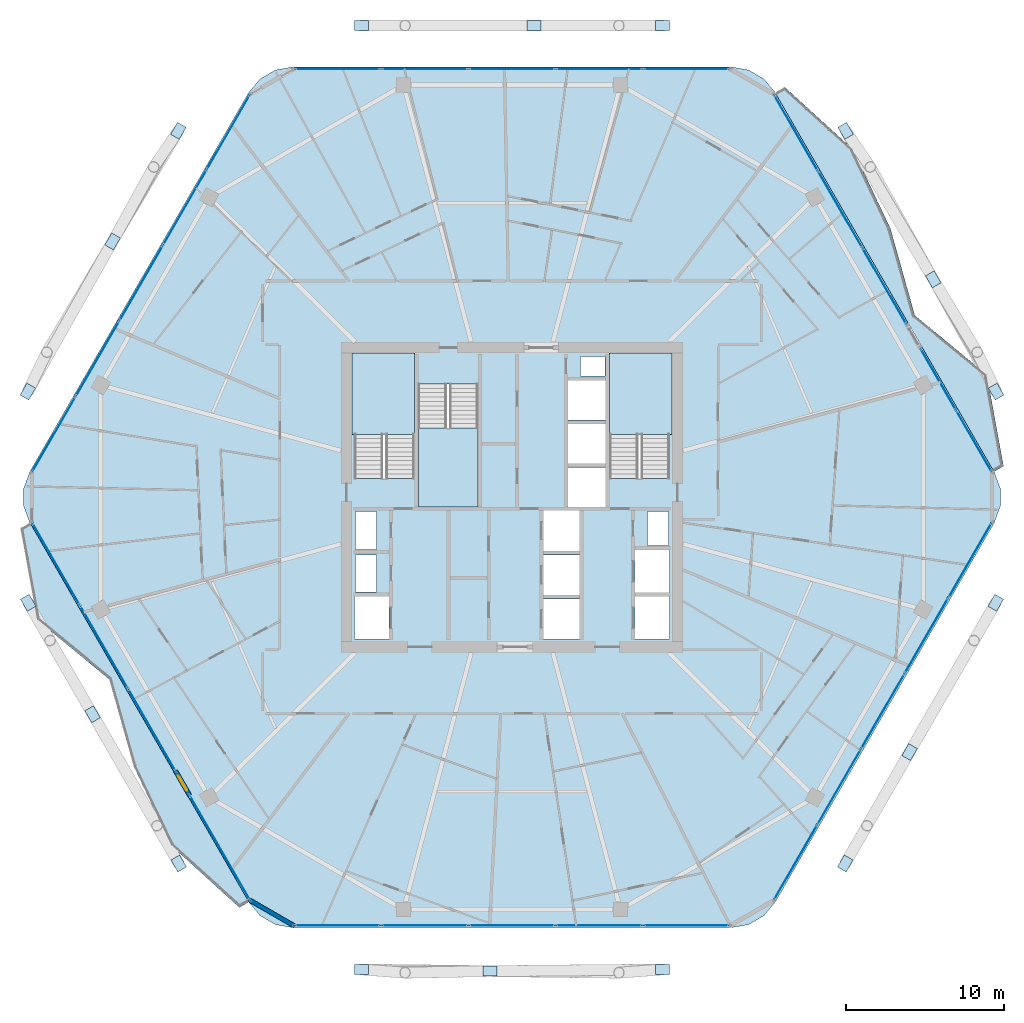
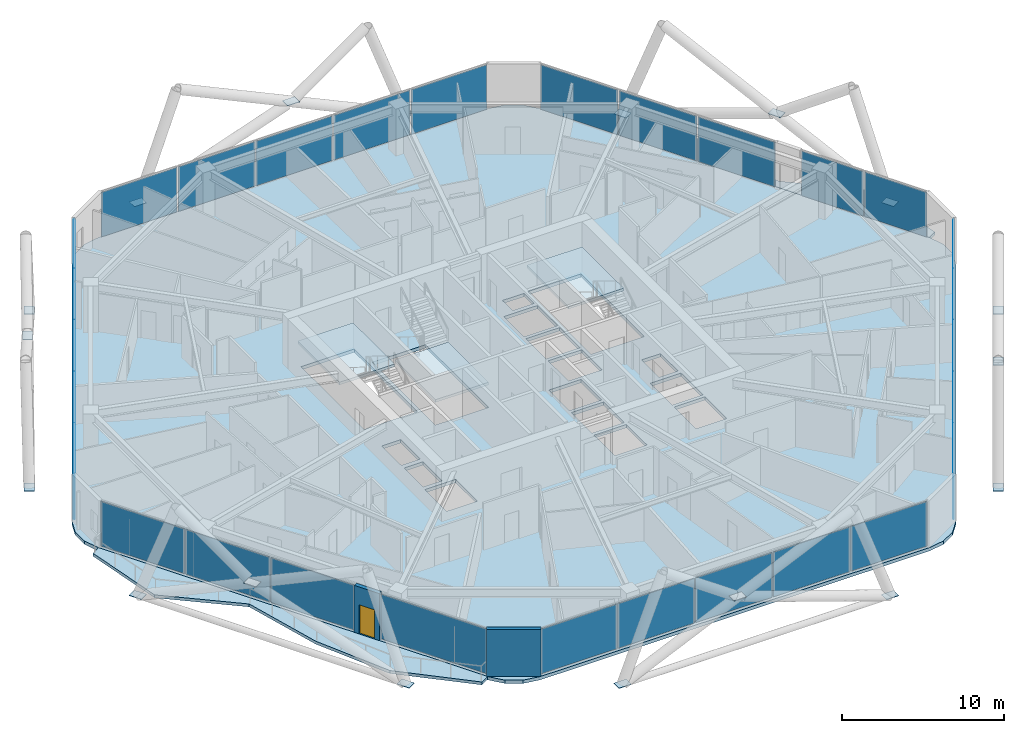
# One storey, part 20 of 29: 47 plates, 6 slabs, 2 walls, 1 door, 1 opening, 11 elements without a shape of their own.
"""IFC4 building model written with IfcOpenShell, lengths in metres."""

from ifc_helpers import new_model, si_unit, direction, frame, frame_2d, origin, origin_2d, place, context, subcontext, project, spatial, polyline, rectangle, outline, extrude, material, layer, layer_set, type_object, element, fill, aggregate, save


model = new_model("IFC4")

# Units and contexts
model_context = context("Model", 3, precision=1e-05, world=origin(), true_north=direction((0.0, 1.0)))
body_context = subcontext(model_context, "Body", "Model", "MODEL_VIEW")
ifc_project = project(units=[si_unit("LENGTHUNIT", "METRE"), si_unit("AREAUNIT", "SQUARE_METRE"), si_unit("VOLUMEUNIT", "CUBIC_METRE"), si_unit("PLANEANGLEUNIT", "RADIAN"), si_unit("MASSUNIT", "GRAM", prefix="KILO")], contexts=[model_context])

# Site, building, storey
site_placement = place(None, origin())
site = spatial("IfcSite", under=ifc_project, at=site_placement, CompositionType="ELEMENT")
building_placement = place(site_placement, origin())
building = spatial("IfcBuilding", under=site, at=building_placement, Name="Zuhravey Tower", CompositionType="ELEMENT")
storey_placement = place(building_placement, frame((0.0, 0.0, 192.199951171875)))
storey = spatial("IfcBuildingStorey", under=building, at=storey_placement, Name="L48", CompositionType="ELEMENT", Elevation=192.199951171875)

# Plates
ifc_material_1 = material(Name="Steel SM460", Category="steel")
ifc_layer_1 = layer(ifc_material_1, 0.035888671875)
ifc_layer_set_1 = layer_set([ifc_layer_1], Name="Steel SM460")
plate_type_1 = type_object("IfcPlateType", Name="Exoskeleton Zone 2 Node Plate ND2", PredefinedType="SHEET", material=ifc_layer_set_1)
for number, where, z_axis, x_axis, name in (
    (1, (66.735107421875, 38.711669921875, -0.48193359375), (0.0, 0.0, 1.0), (-0.5, 0.866025403784, 0.0), "L48 Exoskeleton Node Gusset L48-01"),
    (2, (57.179931640625, 55.261474609375, -0.48193359375), (0.0, 0.0, 1.0), (-0.5, 0.866025403784, 0.0), "L48 Exoskeleton Node Gusset L48-02"),
    (3, (45.554931640625, 61.943115234375, -0.48193359375), (0.0, 0.0, 1.0), (-1.0, 0.0, 0.0), "L48 Exoskeleton Node Gusset L48-03"),
    (4, (26.445068359375, 61.943115234375, -0.48193359375), (0.0, 0.0, 1.0), (-1.0, 0.0, 0.0), "L48 Exoskeleton Node Gusset L48-04"),
    (5, (14.820068359375, 55.261474609375, -0.48193359375), (0.0, 0.0, 1.0), (-0.5, -0.866025403784, 0.0), "L48 Exoskeleton Node Gusset L48-05"),
    (6, (5.264892578125, 38.711669921875, -0.48193359375), (0.0, 0.0, 1.0), (-0.5, -0.866025403784, 0.0), "L48 Exoskeleton Node Gusset L48-06"),
    (7, (5.291015625, 25.30322265625, -0.48193359375), (0.0, 0.0, 1.0), (0.5, -0.866025403784, 0.0), "L48 Exoskeleton Node Gusset L48-07"),
    (8, (14.845947265625, 8.753662109375, -0.48193359375), (0.0, 0.0, 1.0), (0.5, -0.866025403784, 0.0), "L48 Exoskeleton Node Gusset L48-08"),
    (9, (26.445068359375, 2.02685546875, -0.48193359375), (0.0, 0.0, 1.0), (1.0, 0.0, 0.0), "L48 Exoskeleton Node Gusset L48-09"),
    (10, (45.554931640625, 2.02685546875, -0.48193359375), (0.0, 0.0, 1.0), (1.0, 0.0, 0.0), "L48 Exoskeleton Node Gusset L48-10"),
    (11, (57.154052734375, 8.753662109375, -0.48193359375), (0.0, 0.0, 1.0), (0.5, 0.866025403784, 0.0), "L48 Exoskeleton Node Gusset L48-11"),
    (12, (66.708984375, 25.30322265625, -0.48193359375), (0.0, 0.0, 1.0), (0.5, 0.866025403784, 0.0), "L48 Exoskeleton Node Gusset L48-12"),
    (13, (62.741943359375, 45.837890625, 3.31787109375), (0.0, 0.0, 1.0), (-0.5, 0.866025403784, 0.0), "L48 Face 1 Diagrid X-Crossing Plate"),
    (14, (37.386962890625, 61.943115234375, 3.31787109375), (0.0, 0.0, 1.0), (-1.0, 0.0, 0.0), "L48 Face 2 Diagrid X-Crossing Plate"),
    (15, (10.64501953125, 48.240234375, 3.31787109375), (0.0, 0.0, 1.0), (-0.5, -0.866025403784, 0.0), "L48 Face 3 Diagrid X-Crossing Plate"),
    (16, (9.375, 18.2294921875, 3.31787109375), (0.0, 0.0, 1.0), (0.5, -0.866025403784, 0.0), "L48 Face 4 Diagrid X-Crossing Plate"),
    (17, (34.613037109375, 1.921875, 3.31787109375), (0.0, 0.0, 1.0), (1.0, 0.0, 0.0), "L48 Face 5 Diagrid X-Crossing Plate"),
    (18, (61.238037109375, 15.8271484375, 3.31787109375), (0.0, 0.0, 1.0), (0.5, 0.866025403784, 0.0), "L48 Face 6 Diagrid X-Crossing Plate"),
):
    element("IfcPlate", number, at=place(storey_placement, frame(where, z_axis=z_axis, x_axis=x_axis)), inside=storey, type_object=plate_type_1, Name=name, PredefinedType="SHEET", context=body_context, shape_type="SweptSolid", body=[
        extrude(rectangle(XDim=0.8798828125, YDim=0.639892578125, at=origin_2d()), origin(), (0.0, 0.0, 1.0), 0.035888671875),
    ])

# Slabs
ifc_material_2 = material(Name="Concrete C50/60", Category="concrete")
ifc_layer_2 = layer(ifc_material_2, 0.25)
ifc_layer_set_2 = layer_set([ifc_layer_2], Name="Concrete C50/60")
slab_type_1 = type_object("IfcSlabType", Name="Residential Acoustic Slab 250", PredefinedType="FLOOR", material=ifc_layer_set_2)
slab_1_placement = place(storey_placement, frame((0.0, 0.0, -0.25)))
element("IfcSlab", 19, at=slab_1_placement, inside=storey, type_object=slab_type_1, Name="L48 Floor Slab FS25", PredefinedType="FLOOR", context=body_context, shape_type="SweptSolid", body=[
    extrude(outline(polyline([(66.61181640625, 30.375), (66.997802734375, 31.435546875), (66.997802734375, 32.564453125), (66.61181640625, 33.625), (52.713134765625, 57.697998046875), (51.98779296875, 58.562744140625), (51.01025390625, 59.127197265625), (49.898681640625, 59.322998046875), (22.101318359375, 59.322998046875), (20.98974609375, 59.127197265625), (20.01220703125, 58.562744140625), (19.286865234375, 57.697998046875), (5.38818359375, 33.625), (5.002197265625, 32.564453125), (5.002197265625, 31.435546875), (5.38818359375, 30.375), (19.286865234375, 6.302001953125), (20.01220703125, 5.437255859375), (20.98974609375, 4.872802734375), (22.101318359375, 4.677001953125), (49.898681640625, 4.677001953125), (51.01025390625, 4.872802734375), (51.98779296875, 5.437255859375), (52.713134765625, 6.302001953125), (66.61181640625, 30.375)]), holes=[polyline([(29.800048828125, 33.20068359375), (29.800048828125, 41.0), (26.0, 41.0), (26.0, 33.20068359375), (29.800048828125, 33.20068359375)]), polyline([(46.0, 33.20068359375), (46.0, 41.0), (42.199951171875, 41.0), (42.199951171875, 33.20068359375), (46.0, 33.20068359375)]), polyline([(30.050048828125, 39.199462890625), (30.050048828125, 31.39990234375), (33.85009765625, 31.39990234375), (33.85009765625, 39.199462890625), (30.050048828125, 39.199462890625)]), polyline([(38.0, 23.0), (40.300048828125, 23.0), (40.300048828125, 25.550048828125), (38.0, 25.550048828125), (38.0, 23.0)]), polyline([(38.0, 25.800048828125), (40.300048828125, 25.800048828125), (40.300048828125, 28.35009765625), (38.0, 28.35009765625), (38.0, 25.800048828125)]), polyline([(38.0, 28.60009765625), (40.300048828125, 28.60009765625), (40.300048828125, 31.14990234375), (38.0, 31.14990234375), (38.0, 28.60009765625)]), polyline([(39.550048828125, 31.39990234375), (41.949951171875, 31.39990234375), (41.949951171875, 33.89990234375), (39.550048828125, 33.89990234375), (39.550048828125, 31.39990234375)]), polyline([(39.550048828125, 34.14990234375), (41.949951171875, 34.14990234375), (41.949951171875, 36.64990234375), (39.550048828125, 36.64990234375), (39.550048828125, 34.14990234375)]), polyline([(39.550048828125, 36.89990234375), (41.949951171875, 36.89990234375), (41.949951171875, 39.39990234375), (39.550048828125, 39.39990234375), (39.550048828125, 36.89990234375)]), polyline([(26.0, 23.0), (28.199951171875, 23.0), (28.199951171875, 25.699951171875), (26.0, 25.699951171875), (26.0, 23.0)]), polyline([(43.800048828125, 23.0), (46.0, 23.0), (46.0, 25.699951171875), (43.800048828125, 25.699951171875), (43.800048828125, 23.0)]), polyline([(43.800048828125, 25.949951171875), (46.0, 25.949951171875), (46.0, 28.64990234375), (43.800048828125, 28.64990234375), (43.800048828125, 25.949951171875)]), polyline([(26.050048828125, 26.0), (27.39990234375, 26.0), (27.39990234375, 28.35009765625), (26.050048828125, 28.35009765625), (26.050048828125, 26.0)]), polyline([(26.050048828125, 28.699951171875), (27.39990234375, 28.699951171875), (27.39990234375, 31.10009765625), (26.050048828125, 31.10009765625), (26.050048828125, 28.699951171875)]), polyline([(44.60009765625, 28.949951171875), (45.949951171875, 28.949951171875), (45.949951171875, 31.10009765625), (44.60009765625, 31.10009765625), (44.60009765625, 28.949951171875)]), polyline([(40.35009765625, 39.699951171875), (41.89990234375, 39.699951171875), (41.89990234375, 40.949951171875), (40.35009765625, 40.949951171875), (40.35009765625, 39.699951171875)])]), origin(), (0.0, 0.0, 1.0), 0.25),
])
ifc_material_3 = material(Name="Concrete C40/50", Category="concrete")
ifc_layer_3 = layer(ifc_material_3, 0.219970703125)
ifc_layer_set_3 = layer_set([ifc_layer_3], Name="Concrete C40/50")
slab_type_2 = type_object("IfcSlabType", Name="Sinusoidal Residential Wave Balcony 220", PredefinedType="FLOOR", material=ifc_layer_set_3)
slab_2_placement = place(storey_placement, frame((0.0, 0.0, -0.219970703125)))
element("IfcSlab", 20, at=slab_2_placement, inside=storey, type_object=slab_type_2, Name="L48 Face 1 Wave Balcony WB22", PredefinedType="FLOOR", context=body_context, shape_type="SweptSolid", body=[
    extrude(outline(polyline([(66.594482421875, 33.625), (52.70458984375, 57.68310546875), (53.310791015625, 58.033203125), (57.62841796875, 54.1103515625), (60.01513671875, 49.072998046875), (61.567626953125, 43.5537109375), (66.14306640625, 39.77978515625), (67.20068359375, 33.97509765625), (66.594482421875, 33.625)])), origin(), (0.0, 0.0, 1.0), 0.219970703125),
])
slab_3_placement = place(storey_placement, frame((0.0, 0.0, -0.219970703125)))
element("IfcSlab", 21, at=slab_3_placement, inside=storey, type_object=slab_type_2, Name="L48 Face 4 Wave Balcony WB22", PredefinedType="FLOOR", context=body_context, shape_type="SweptSolid", body=[
    extrude(outline(polyline([(5.405517578125, 30.375), (19.29541015625, 6.31689453125), (18.689208984375, 5.966796875), (14.37158203125, 9.8896484375), (11.98486328125, 14.927001953125), (10.432373046875, 20.4462890625), (5.85693359375, 24.22021484375), (4.79931640625, 30.02490234375), (5.405517578125, 30.375)])), origin(), (0.0, 0.0, 1.0), 0.219970703125),
])

# Stair, slab
stair_type = type_object("IfcStairType", Name="Housing Storey Stair Assembly 3800", PredefinedType="HALF_TURN_STAIR", material=ifc_material_3)
stair_1_placement = place(storey_placement, origin())
stair_1 = element("IfcStair", 22, at=stair_1_placement, inside=storey, type_object=stair_type, Name="L48 Core Exit Stair ST1", PredefinedType="HALF_TURN_STAIR")
ifc_layer_4 = layer(ifc_material_3, 0.199951171875)
ifc_layer_set_4 = layer_set([ifc_layer_4], Name="Concrete C40/50")
slab_type_3 = type_object("IfcSlabType", Name="Stair Landing Slab 200", PredefinedType="LANDING", material=ifc_layer_set_4)
slab_4_placement = place(storey_placement, frame((0.0, 0.0, 1.699951171875)))
slab_4 = element("IfcSlab", 23, at=slab_4_placement, type_object=slab_type_3, Name="ST1 landing 1", PredefinedType="LANDING", context=body_context, shape_type="SweptSolid", body=[
    extrude(outline(polyline([(29.800048828125, 36.0), (29.800048828125, 41.14794921875), (25.85205078125, 41.14794921875), (25.85205078125, 36.0), (29.800048828125, 36.0)])), origin(), (0.0, 0.0, 1.0), 0.2001953125),
])
aggregate(stair_1, [slab_4])

stair_2_placement = place(storey_placement, origin())
stair_2 = element("IfcStair", 24, at=stair_2_placement, inside=storey, type_object=stair_type, Name="L48 Core Exit Stair ST2", PredefinedType="HALF_TURN_STAIR")
slab_5_placement = place(storey_placement, frame((0.0, 0.0, 1.699951171875)))
slab_5 = element("IfcSlab", 25, at=slab_5_placement, type_object=slab_type_3, Name="ST2 landing 1", PredefinedType="LANDING", context=body_context, shape_type="SweptSolid", body=[
    extrude(outline(polyline([(46.14794921875, 36.0), (46.14794921875, 41.14794921875), (42.199951171875, 41.14794921875), (42.199951171875, 36.0), (46.14794921875, 36.0)])), origin(), (0.0, 0.0, 1.0), 0.2001953125),
])
aggregate(stair_2, [slab_5])

stair_3_placement = place(storey_placement, origin())
stair_3 = element("IfcStair", 26, at=stair_3_placement, inside=storey, type_object=stair_type, Name="L48 Core Exit Stair ST3", PredefinedType="HALF_TURN_STAIR")
slab_6_placement = place(storey_placement, frame((0.0, 0.0, 1.699951171875)))
slab_6 = element("IfcSlab", 27, at=slab_6_placement, type_object=slab_type_3, Name="ST3 landing 1", PredefinedType="LANDING", context=body_context, shape_type="SweptSolid", body=[
    extrude(outline(polyline([(30.050048828125, 36.39990234375), (30.050048828125, 31.39990234375), (33.85009765625, 31.39990234375), (33.85009765625, 36.39990234375), (30.050048828125, 36.39990234375)])), origin(), (0.0, 0.0, 1.0), 0.2001953125),
])
aggregate(stair_3, [slab_6])

# Curtain wall, plates
ifc_material_4 = material(Name="Thermally broken anodised aluminium", Category="aluminium")
curtain_wall_type = type_object("IfcCurtainWallType", Name="Zone 1-2 Residential Curtain Wall CW3", PredefinedType="NOTDEFINED", material=ifc_material_4)
curtain_wall_1_placement = place(storey_placement, origin())
curtain_wall_1 = element("IfcCurtainWall", 28, at=curtain_wall_1_placement, inside=storey, type_object=curtain_wall_type, Name="L48 CW3 CW-L48-F6-1", PredefinedType="NOTDEFINED")
ifc_material_5 = material(Name="Triple low-E insulated vision glass", Category="glass")
ifc_layer_5 = layer(ifc_material_5, 0.0419921875)
ifc_layer_set_5 = layer_set([ifc_layer_5], Name="Triple low-E insulated vision glass")
plate_type_2 = type_object("IfcPlateType", Name="Triple Low-E Vision Panel", PredefinedType="CURTAIN_PANEL", material=ifc_layer_set_5)
plate_1_placement = place(storey_placement, frame((65.074462890625, 27.9921875, 0.090087890625), z_axis=(0.0, 0.0, 1.0), x_axis=(-0.500000459979, -0.866025138215, 0.0)))
plate_1 = element("IfcPlate", 29, at=plate_1_placement, type_object=plate_type_2, Name="CW3 panel 1.1", PredefinedType="CURTAIN_PANEL", context=body_context, shape_type="SweptSolid", body=[
    extrude(rectangle(XDim=5.409423828125, YDim=0.0419921875, at=origin_2d()), origin(), (0.0, 0.0, 1.0), 3.3701171875),
])
plate_2_placement = place(storey_placement, frame((62.3134765625, 23.2099609375, 0.090087890625), z_axis=(0.0, 0.0, 1.0), x_axis=(-0.500000459979, -0.866025138215, 0.0)))
plate_2 = element("IfcPlate", 30, at=plate_2_placement, type_object=plate_type_2, Name="CW3 panel 2.1", PredefinedType="CURTAIN_PANEL", context=body_context, shape_type="SweptSolid", body=[
    extrude(rectangle(XDim=5.454345703125, YDim=0.0419921875, at=origin_2d()), origin(), (0.0, 0.0, 1.0), 3.3701171875),
])
plate_3_placement = place(storey_placement, frame((59.541259765625, 18.408447265625, 0.090087890625), z_axis=(0.0, 0.0, 1.0), x_axis=(-0.500000459979, -0.866025138215, 0.0)))
plate_3 = element("IfcPlate", 31, at=plate_3_placement, type_object=plate_type_2, Name="CW3 panel 3.1", PredefinedType="CURTAIN_PANEL", context=body_context, shape_type="SweptSolid", body=[
    extrude(rectangle(XDim=5.454345703125, YDim=0.0419921875, at=origin_2d()), origin(), (0.0, 0.0, 1.0), 3.3701171875),
])
plate_4_placement = place(storey_placement, frame((56.76904296875, 13.60693359375, 0.090087890625), z_axis=(0.0, 0.0, 1.0), x_axis=(-0.500000459979, -0.866025138215, 0.0)))
plate_4 = element("IfcPlate", 32, at=plate_4_placement, type_object=plate_type_2, Name="CW3 panel 4.1", PredefinedType="CURTAIN_PANEL", context=body_context, shape_type="SweptSolid", body=[
    extrude(rectangle(XDim=5.454345703125, YDim=0.0419921875, at=origin_2d()), origin(), (0.0, 0.0, 1.0), 3.3701171875),
])
plate_5_placement = place(storey_placement, frame((54.008056640625, 8.82470703125, 0.090087890625), z_axis=(0.0, 0.0, 1.0), x_axis=(-0.500000459979, -0.866025138215, 0.0)))
plate_5 = element("IfcPlate", 33, at=plate_5_placement, type_object=plate_type_2, Name="CW3 panel 5.1", PredefinedType="CURTAIN_PANEL", context=body_context, shape_type="SweptSolid", body=[
    extrude(rectangle(XDim=5.409423828125, YDim=0.0419921875, at=origin_2d()), origin(), (0.0, 0.0, 1.0), 3.3701171875),
])
aggregate(curtain_wall_1, [plate_1, plate_2, plate_3, plate_4, plate_5])

curtain_wall_2_placement = place(storey_placement, origin())
curtain_wall_2 = element("IfcCurtainWall", 34, at=curtain_wall_2_placement, inside=storey, type_object=curtain_wall_type, Name="L48 CW3 CW-L48-F5-1", PredefinedType="NOTDEFINED")
plate_6_placement = place(storey_placement, frame((47.06640625, 4.81689453125, 0.090087890625), z_axis=(0.0, 0.0, 1.0), x_axis=(-1.0, 0.0, 0.0)))
plate_6 = element("IfcPlate", 35, at=plate_6_placement, type_object=plate_type_2, Name="CW3 panel 1.1", PredefinedType="CURTAIN_PANEL", context=body_context, shape_type="SweptSolid", body=[
    extrude(rectangle(XDim=5.409423828125, YDim=0.0419921875, at=origin_2d()), origin(), (0.0, 0.0, 1.0), 3.3701171875),
])
plate_7_placement = place(storey_placement, frame((41.54443359375, 4.81689453125, 0.090087890625), z_axis=(0.0, 0.0, 1.0), x_axis=(-1.0, 0.0, 0.0)))
plate_7 = element("IfcPlate", 36, at=plate_7_placement, type_object=plate_type_2, Name="CW3 panel 2.1", PredefinedType="CURTAIN_PANEL", context=body_context, shape_type="SweptSolid", body=[
    extrude(rectangle(XDim=5.454345703125, YDim=0.0419921875, at=origin_2d()), origin(), (0.0, 0.0, 1.0), 3.3701171875),
])
plate_8_placement = place(storey_placement, frame((36.0, 4.81689453125, 0.090087890625), z_axis=(0.0, 0.0, 1.0), x_axis=(-1.0, 0.0, 0.0)))
plate_8 = element("IfcPlate", 37, at=plate_8_placement, type_object=plate_type_2, Name="CW3 panel 3.1", PredefinedType="CURTAIN_PANEL", context=body_context, shape_type="SweptSolid", body=[
    extrude(rectangle(XDim=5.454345703125, YDim=0.0419921875, at=origin_2d()), origin(), (0.0, 0.0, 1.0), 3.3701171875),
])
plate_9_placement = place(storey_placement, frame((30.45556640625, 4.81689453125, 0.090087890625), z_axis=(0.0, 0.0, 1.0), x_axis=(-1.0, 0.0, 0.0)))
plate_9 = element("IfcPlate", 38, at=plate_9_placement, type_object=plate_type_2, Name="CW3 panel 4.1", PredefinedType="CURTAIN_PANEL", context=body_context, shape_type="SweptSolid", body=[
    extrude(rectangle(XDim=5.454345703125, YDim=0.0419921875, at=origin_2d()), origin(), (0.0, 0.0, 1.0), 3.3701171875),
])
plate_10_placement = place(storey_placement, frame((24.93359375, 4.81689453125, 0.090087890625), z_axis=(0.0, 0.0, 1.0), x_axis=(-1.0, 0.0, 0.0)))
plate_10 = element("IfcPlate", 39, at=plate_10_placement, type_object=plate_type_2, Name="CW3 panel 5.1", PredefinedType="CURTAIN_PANEL", context=body_context, shape_type="SweptSolid", body=[
    extrude(rectangle(XDim=5.409423828125, YDim=0.0419921875, at=origin_2d()), origin(), (0.0, 0.0, 1.0), 3.3701171875),
])
aggregate(curtain_wall_2, [plate_6, plate_7, plate_8, plate_9, plate_10])

# Curtain wall, plate
curtain_wall_3_placement = place(storey_placement, origin())
curtain_wall_3 = element("IfcCurtainWall", 40, at=curtain_wall_3_placement, inside=storey, type_object=curtain_wall_type, Name="L48 CW3 CW-L48-F4-1", PredefinedType="NOTDEFINED")
plate_11_placement = place(storey_placement, frame((17.452880859375, 9.75830078125, 0.090087890625), z_axis=(0.0, 0.0, 1.0), x_axis=(-0.500003330298, 0.866023481027, 0.0)))
plate_11 = element("IfcPlate", 41, at=plate_11_placement, type_object=plate_type_2, Name="CW3 panel 1.1", PredefinedType="CURTAIN_PANEL", context=body_context, shape_type="SweptSolid", body=[
    extrude(rectangle(XDim=7.565673828125, YDim=0.0419921875, at=origin_2d()), origin(), (0.0, 0.0, 1.0), 3.3701171875),
])
aggregate(curtain_wall_3, [plate_11])

# Curtain wall, plates
curtain_wall_4_placement = place(storey_placement, origin())
curtain_wall_4 = element("IfcCurtainWall", 42, at=curtain_wall_4_placement, inside=storey, type_object=curtain_wall_type, Name="L48 CW3 CW-L48-F4-2", PredefinedType="NOTDEFINED")
plate_12_placement = place(storey_placement, frame((13.132080078125, 17.2421875, 0.090087890625), z_axis=(0.0, 0.0, 1.0), x_axis=(-0.499998263105, 0.866026406579, 0.0)))
plate_12 = element("IfcPlate", 43, at=plate_12_placement, type_object=plate_type_2, Name="CW3 panel 1.1", PredefinedType="CURTAIN_PANEL", context=body_context, shape_type="SweptSolid", body=[
    extrude(rectangle(XDim=5.957275390625, YDim=0.0419921875, at=origin_2d()), origin(), (0.0, 0.0, 1.0), 3.3701171875),
])
plate_13_placement = place(storey_placement, frame((10.097412109375, 22.49853515625, 0.090087890625), z_axis=(0.0, 0.0, 1.0), x_axis=(-0.499998263105, 0.866026406579, 0.0)))
plate_13 = element("IfcPlate", 44, at=plate_13_placement, type_object=plate_type_2, Name="CW3 panel 2.1", PredefinedType="CURTAIN_PANEL", context=body_context, shape_type="SweptSolid", body=[
    extrude(rectangle(XDim=6.002197265625, YDim=0.0419921875, at=origin_2d()), origin(), (0.0, 0.0, 1.0), 3.3701171875),
])
plate_14_placement = place(storey_placement, frame((7.0625, 27.755126953125, 0.090087890625), z_axis=(0.0, 0.0, 1.0), x_axis=(-0.499998263105, 0.866026406579, 0.0)))
plate_14 = element("IfcPlate", 45, at=plate_14_placement, type_object=plate_type_2, Name="CW3 panel 3.1", PredefinedType="CURTAIN_PANEL", context=body_context, shape_type="SweptSolid", body=[
    extrude(rectangle(XDim=5.957275390625, YDim=0.0419921875, at=origin_2d()), origin(), (0.0, 0.0, 1.0), 3.3701171875),
])
aggregate(curtain_wall_4, [plate_12, plate_13, plate_14])

curtain_wall_5_placement = place(storey_placement, origin())
curtain_wall_5 = element("IfcCurtainWall", 46, at=curtain_wall_5_placement, inside=storey, type_object=curtain_wall_type, Name="L48 CW3 CW-L48-F3-1", PredefinedType="NOTDEFINED")
plate_15_placement = place(storey_placement, frame((6.925537109375, 36.0078125, 0.090087890625), z_axis=(0.0, 0.0, 1.0), x_axis=(0.500000459979, 0.866025138215, 0.0)))
plate_15 = element("IfcPlate", 47, at=plate_15_placement, type_object=plate_type_2, Name="CW3 panel 1.1", PredefinedType="CURTAIN_PANEL", context=body_context, shape_type="SweptSolid", body=[
    extrude(rectangle(XDim=5.409423828125, YDim=0.0419921875, at=origin_2d()), origin(), (0.0, 0.0, 1.0), 3.3701171875),
])
plate_16_placement = place(storey_placement, frame((9.6865234375, 40.7900390625, 0.090087890625), z_axis=(0.0, 0.0, 1.0), x_axis=(0.500000459979, 0.866025138215, 0.0)))
plate_16 = element("IfcPlate", 48, at=plate_16_placement, type_object=plate_type_2, Name="CW3 panel 2.1", PredefinedType="CURTAIN_PANEL", context=body_context, shape_type="SweptSolid", body=[
    extrude(rectangle(XDim=5.454345703125, YDim=0.0419921875, at=origin_2d()), origin(), (0.0, 0.0, 1.0), 3.3701171875),
])
plate_17_placement = place(storey_placement, frame((12.458740234375, 45.591552734375, 0.090087890625), z_axis=(0.0, 0.0, 1.0), x_axis=(0.500000459979, 0.866025138215, 0.0)))
plate_17 = element("IfcPlate", 49, at=plate_17_placement, type_object=plate_type_2, Name="CW3 panel 3.1", PredefinedType="CURTAIN_PANEL", context=body_context, shape_type="SweptSolid", body=[
    extrude(rectangle(XDim=5.454345703125, YDim=0.0419921875, at=origin_2d()), origin(), (0.0, 0.0, 1.0), 3.3701171875),
])
plate_18_placement = place(storey_placement, frame((15.23095703125, 50.39306640625, 0.090087890625), z_axis=(0.0, 0.0, 1.0), x_axis=(0.500000459979, 0.866025138215, 0.0)))
plate_18 = element("IfcPlate", 50, at=plate_18_placement, type_object=plate_type_2, Name="CW3 panel 4.1", PredefinedType="CURTAIN_PANEL", context=body_context, shape_type="SweptSolid", body=[
    extrude(rectangle(XDim=5.454345703125, YDim=0.0419921875, at=origin_2d()), origin(), (0.0, 0.0, 1.0), 3.3701171875),
])
plate_19_placement = place(storey_placement, frame((17.991943359375, 55.17529296875, 0.090087890625), z_axis=(0.0, 0.0, 1.0), x_axis=(0.500000459979, 0.866025138215, 0.0)))
plate_19 = element("IfcPlate", 51, at=plate_19_placement, type_object=plate_type_2, Name="CW3 panel 5.1", PredefinedType="CURTAIN_PANEL", context=body_context, shape_type="SweptSolid", body=[
    extrude(rectangle(XDim=5.409423828125, YDim=0.0419921875, at=origin_2d()), origin(), (0.0, 0.0, 1.0), 3.3701171875),
])
aggregate(curtain_wall_5, [plate_15, plate_16, plate_17, plate_18, plate_19])

curtain_wall_6_placement = place(storey_placement, origin())
curtain_wall_6 = element("IfcCurtainWall", 52, at=curtain_wall_6_placement, inside=storey, type_object=curtain_wall_type, Name="L48 CW3 CW-L48-F2-1", PredefinedType="NOTDEFINED")
plate_20_placement = place(storey_placement, frame((24.93359375, 59.18310546875, 0.090087890625), z_axis=(0.0, 0.0, 1.0), x_axis=(1.0, 0.0, 0.0)))
plate_20 = element("IfcPlate", 53, at=plate_20_placement, type_object=plate_type_2, Name="CW3 panel 1.1", PredefinedType="CURTAIN_PANEL", context=body_context, shape_type="SweptSolid", body=[
    extrude(rectangle(XDim=5.409423828125, YDim=0.0419921875, at=origin_2d()), origin(), (0.0, 0.0, 1.0), 3.3701171875),
])
plate_21_placement = place(storey_placement, frame((30.45556640625, 59.18310546875, 0.090087890625), z_axis=(0.0, 0.0, 1.0), x_axis=(1.0, 0.0, 0.0)))
plate_21 = element("IfcPlate", 54, at=plate_21_placement, type_object=plate_type_2, Name="CW3 panel 2.1", PredefinedType="CURTAIN_PANEL", context=body_context, shape_type="SweptSolid", body=[
    extrude(rectangle(XDim=5.454345703125, YDim=0.0419921875, at=origin_2d()), origin(), (0.0, 0.0, 1.0), 3.3701171875),
])
plate_22_placement = place(storey_placement, frame((36.0, 59.18310546875, 0.090087890625), z_axis=(0.0, 0.0, 1.0), x_axis=(1.0, 0.0, 0.0)))
plate_22 = element("IfcPlate", 55, at=plate_22_placement, type_object=plate_type_2, Name="CW3 panel 3.1", PredefinedType="CURTAIN_PANEL", context=body_context, shape_type="SweptSolid", body=[
    extrude(rectangle(XDim=5.454345703125, YDim=0.0419921875, at=origin_2d()), origin(), (0.0, 0.0, 1.0), 3.3701171875),
])
plate_23_placement = place(storey_placement, frame((41.54443359375, 59.18310546875, 0.090087890625), z_axis=(0.0, 0.0, 1.0), x_axis=(1.0, 0.0, 0.0)))
plate_23 = element("IfcPlate", 56, at=plate_23_placement, type_object=plate_type_2, Name="CW3 panel 4.1", PredefinedType="CURTAIN_PANEL", context=body_context, shape_type="SweptSolid", body=[
    extrude(rectangle(XDim=5.454345703125, YDim=0.0419921875, at=origin_2d()), origin(), (0.0, 0.0, 1.0), 3.3701171875),
])
plate_24_placement = place(storey_placement, frame((47.06640625, 59.18310546875, 0.090087890625), z_axis=(0.0, 0.0, 1.0), x_axis=(1.0, 0.0, 0.0)))
plate_24 = element("IfcPlate", 57, at=plate_24_placement, type_object=plate_type_2, Name="CW3 panel 5.1", PredefinedType="CURTAIN_PANEL", context=body_context, shape_type="SweptSolid", body=[
    extrude(rectangle(XDim=5.409423828125, YDim=0.0419921875, at=origin_2d()), origin(), (0.0, 0.0, 1.0), 3.3701171875),
])
aggregate(curtain_wall_6, [plate_20, plate_21, plate_22, plate_23, plate_24])

curtain_wall_7_placement = place(storey_placement, origin())
curtain_wall_7 = element("IfcCurtainWall", 58, at=curtain_wall_7_placement, inside=storey, type_object=curtain_wall_type, Name="L48 CW3 CW-L48-F1-1", PredefinedType="NOTDEFINED")
plate_25_placement = place(storey_placement, frame((54.03076171875, 55.135986328125, 0.090087890625), z_axis=(0.0, 0.0, 1.0), x_axis=(0.500002025181, -0.866024234542, 0.0)))
plate_25 = element("IfcPlate", 59, at=plate_25_placement, type_object=plate_type_2, Name="CW3 panel 1.1", PredefinedType="CURTAIN_PANEL", context=body_context, shape_type="SweptSolid", body=[
    extrude(rectangle(XDim=5.500244140625, YDim=0.0419921875, at=origin_2d()), origin(), (0.0, 0.0, 1.0), 3.3701171875),
])
plate_26_placement = place(storey_placement, frame((56.837158203125, 50.275390625, 0.090087890625), z_axis=(0.0, 0.0, 1.0), x_axis=(0.500002025181, -0.866024234542, 0.0)))
plate_26 = element("IfcPlate", 60, at=plate_26_placement, type_object=plate_type_2, Name="CW3 panel 2.1", PredefinedType="CURTAIN_PANEL", context=body_context, shape_type="SweptSolid", body=[
    extrude(rectangle(XDim=5.545166015625, YDim=0.0419921875, at=origin_2d()), origin(), (0.0, 0.0, 1.0), 3.3701171875),
])
plate_27_placement = place(storey_placement, frame((59.6435546875, 45.41455078125, 0.090087890625), z_axis=(0.0, 0.0, 1.0), x_axis=(0.500002025181, -0.866024234542, 0.0)))
plate_27 = element("IfcPlate", 61, at=plate_27_placement, type_object=plate_type_2, Name="CW3 panel 3.1", PredefinedType="CURTAIN_PANEL", context=body_context, shape_type="SweptSolid", body=[
    extrude(rectangle(XDim=5.500244140625, YDim=0.0419921875, at=origin_2d()), origin(), (0.0, 0.0, 1.0), 3.3701171875),
])
aggregate(curtain_wall_7, [plate_25, plate_26, plate_27])

curtain_wall_8_placement = place(storey_placement, origin())
curtain_wall_8 = element("IfcCurtainWall", 62, at=curtain_wall_8_placement, inside=storey, type_object=curtain_wall_type, Name="L48 CW3 CW-L48-F1-2", PredefinedType="NOTDEFINED")
plate_28_placement = place(storey_placement, frame((63.064208984375, 39.489501953125, 0.090087890625), z_axis=(0.0, 0.0, 1.0), x_axis=(0.499995592113, -0.866027948664, 0.0)))
plate_28 = element("IfcPlate", 63, at=plate_28_placement, type_object=plate_type_2, Name="CW3 panel 1.1", PredefinedType="CURTAIN_PANEL", context=body_context, shape_type="SweptSolid", body=[
    extrude(rectangle(XDim=4.42333984375, YDim=0.0419921875, at=origin_2d()), origin(), (0.0, 0.0, 1.0), 3.3701171875),
])
plate_29_placement = place(storey_placement, frame((65.321044921875, 35.580810546875, 0.090087890625), z_axis=(0.0, 0.0, 1.0), x_axis=(0.499995592113, -0.866027948664, 0.0)))
plate_29 = element("IfcPlate", 64, at=plate_29_placement, type_object=plate_type_2, Name="CW3 panel 2.1", PredefinedType="CURTAIN_PANEL", context=body_context, shape_type="SweptSolid", body=[
    extrude(rectangle(XDim=4.42333984375, YDim=0.0419921875, at=origin_2d()), origin(), (0.0, 0.0, 1.0), 3.3701171875),
])
aggregate(curtain_wall_8, [plate_28, plate_29])

# Wall
ifc_material_6 = material(Name="Precast concrete C40/50", Category="concrete")
ifc_layer_6 = layer(ifc_material_6, 0.280029296875)
ifc_layer_set_6 = layer_set([ifc_layer_6], Name="Precast concrete C40/50")
wall_type = type_object("IfcWallType", Name="Crown Architectural Wall 280", PredefinedType="SOLIDWALL", material=ifc_layer_set_6)
wall_1_placement = place(storey_placement, frame((22.22119140625, 4.769287109375, 0.0), z_axis=(0.0, 0.0, 1.0), x_axis=(-0.866020068361, 0.500009241111, 0.0)))
element("IfcWall", 65, at=wall_1_placement, inside=storey, type_object=wall_type, Name="L48 Rounded Corner Closure Wall EW28-04", PredefinedType="SOLIDWALL", context=body_context, shape_type="SweptSolid", body=[
    extrude(rectangle(XDim=3.365234375, YDim=0.280029296875, at=frame_2d((1.6826171875, 0.0))), origin(), (0.0, 0.0, 1.0), 3.550048828125),
])

# Wall, opening, door
wall_2_placement = place(storey_placement, frame((15.538818359375, 13.073486328125, 0.0), z_axis=(0.0, 0.0, 1.0), x_axis=(-0.500041240653, 0.866001592173, 0.0)))
wall_2 = element("IfcWall", 66, at=wall_2_placement, inside=storey, type_object=wall_type, Name="L48 Face 4 Facade Pier EW28-1", PredefinedType="SOLIDWALL", context=body_context, shape_type="SweptSolid", body=[
    extrude(rectangle(XDim=1.789794921875, YDim=0.280029296875, at=frame_2d((0.89501953125, 0.0))), origin(), (0.0, 0.0, 1.0), 3.550048828125),
])
opening_placement = place(wall_2_placement, frame((0.344970703125, 0.0, 0.0)))
opening = element("IfcOpeningElement", 67, at=opening_placement, cuts=wall_2, Name="Opening BLD1", PredefinedType="OPENING", context=body_context, shape_type="SweptSolid", body=[
    extrude(rectangle(XDim=1.10009765625, YDim=2.199951171875, at=frame_2d((0.550048828125, 1.10009765625))), frame((0.0, 0.152099609375, 0.0), z_axis=(0.0, -1.0, 0.0), x_axis=(1.0, 0.0, 0.0)), (0.0, 0.0, 1.0), 0.303955078125),
])
ifc_material_7 = material(Name="Thermally broken aluminium and low-E glass", Category="aluminium")
door_type = type_object("IfcDoorType", Name="Balcony & Sky-Tray Glazed Door 1100x2200", OperationType="NOTDEFINED", PredefinedType="DOOR", material=ifc_material_7)
door_placement = place(opening_placement, frame((1.10009765625, 0.0, 0.0), z_axis=(0.0, 0.0, 1.0), x_axis=(-1.0, 0.0, 0.0)))
door = element("IfcDoor", 68, at=door_placement, inside=storey, type_object=door_type, Name="L48 Face 4 Wave Balcony Door", OperationType="SINGLE_SWING_LEFT", OverallHeight=2.199951171875, OverallWidth=1.10009765625, PredefinedType="DOOR", context=body_context, shape_type="SweptSolid", body=[
    extrude(rectangle(XDim=1.10009765625, YDim=2.199951171875, at=frame_2d((0.550048828125, 1.10009765625))), frame((0.0, 0.02490234375, 0.0), z_axis=(0.0, -1.0, 0.0), x_axis=(1.0, 0.0, 0.0)), (0.0, 0.0, 1.0), 0.050048828125),
])
fill(opening, door)

save(model, "model.ifc")
